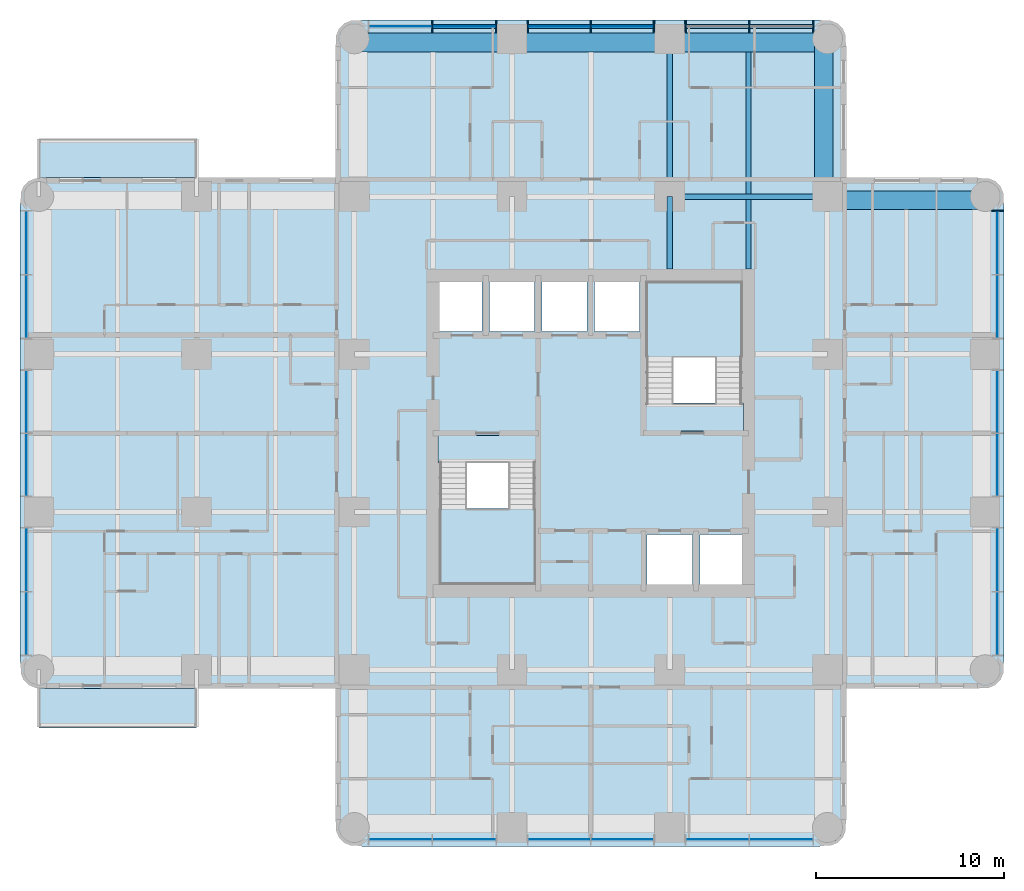
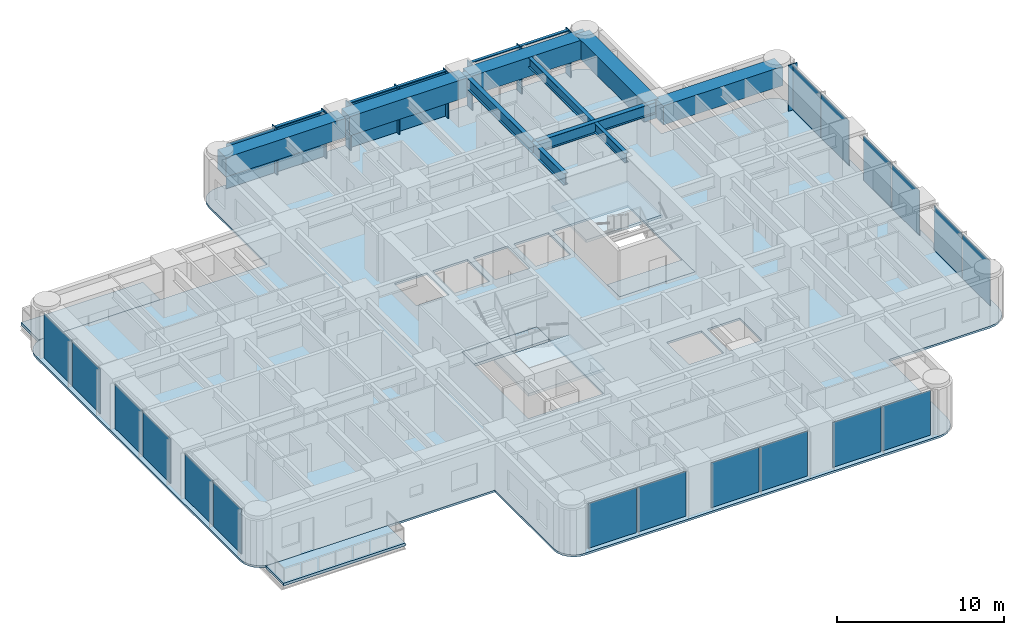
# One storey, part 3 of 11: 22 plates, 14 members, 10 beams, 7 slabs, 6 elements without a shape of their own.
"""IFC4 building model written with IfcOpenShell, lengths in metres."""

from ifc_helpers import new_model, si_unit, direction, frame, origin, origin_2d, place, context, subcontext, project, spatial, polyline, rectangle, i_section, outline, extrude, material, layer, layer_set, material_profile, profile_set, type_object, element, aggregate, save


model = new_model("IFC4")

# Units and contexts
model_context = context("Model", 3, precision=1e-05, world=origin(), true_north=direction((0.0, 1.0)))
body_context = subcontext(model_context, "Body", "Model", "MODEL_VIEW")
ifc_project = project(units=[si_unit("LENGTHUNIT", "METRE"), si_unit("AREAUNIT", "SQUARE_METRE"), si_unit("VOLUMEUNIT", "CUBIC_METRE"), si_unit("PLANEANGLEUNIT", "RADIAN"), si_unit("MASSUNIT", "GRAM", prefix="KILO")], contexts=[model_context])

# Site, building, storey
site_placement = place(None, origin())
site = spatial("IfcSite", under=ifc_project, at=site_placement, CompositionType="ELEMENT")
building_placement = place(site_placement, origin())
building = spatial("IfcBuilding", under=site, at=building_placement, Name="Torre Alcanfor", CompositionType="ELEMENT")
storey_placement = place(building_placement, frame((0.0, 0.0, 244.5)))
storey = spatial("IfcBuildingStorey", under=building, at=storey_placement, Name="L64", CompositionType="ELEMENT", Elevation=244.5)

# Curtain wall, member
ifc_material_1 = material(Name="Aluminium and glass", Category="aluminium")
curtain_wall_type = type_object("IfcCurtainWallType", Name="CW-A unitised apartment glazing with vertical FIN", PredefinedType="NOTDEFINED", material=ifc_material_1)
curtain_wall_1_placement = place(storey_placement, origin())
curtain_wall_1 = element("IfcCurtainWall", 1, at=curtain_wall_1_placement, inside=storey, type_object=curtain_wall_type, Name="Curtain wall CW-A L64 8", PredefinedType="NOTDEFINED")
ifc_material_2 = material(Name="Bronze anodised aluminium", Category="aluminium")
ifc_material_profile_1 = material_profile(ifc_material_2, rectangle(XDim=0.60009765625, YDim=0.06494140625, at=origin_2d()), Name="CW-A mullion 65x600")
ifc_profile_set_1 = profile_set([ifc_material_profile_1], Name="Bronze anodised aluminium")
member_type_1 = type_object("IfcMemberType", Name="CW-A mullion with vertical FIN 65x600", PredefinedType="MULLION", material=ifc_profile_set_1)
member_1_placement = place(storey_placement, frame((51.050048828125, 41.24267578125, 0.0), z_axis=(0.0, 0.0, 1.0), x_axis=(-1.0, 0.0, 0.0)))
member_1 = element("IfcMember", 2, at=member_1_placement, type_object=member_type_1, Name="CW-A mullion 3.3", PredefinedType="MULLION", context=body_context, shape_type="SweptSolid", body=[
    extrude(rectangle(XDim=0.60009765625, YDim=0.06494140625, at=origin_2d()), origin(), (0.0, 0.0, 1.0), 3.35009765625),
])

# Curtain wall, members
curtain_wall_2_placement = place(storey_placement, origin())
curtain_wall_2 = element("IfcCurtainWall", 3, at=curtain_wall_2_placement, inside=storey, type_object=curtain_wall_type, Name="Curtain wall CW-A L64 11", PredefinedType="NOTDEFINED")
member_2_placement = place(storey_placement, frame((41.24267578125, 51.050048828125, 0.0), z_axis=(0.0, 0.0, 1.0), x_axis=(0.0, -1.0, 0.0)))
member_2 = element("IfcMember", 4, at=member_2_placement, type_object=member_type_1, Name="CW-A mullion 1.1", PredefinedType="MULLION", context=body_context, shape_type="SweptSolid", body=[
    extrude(rectangle(XDim=0.60009765625, YDim=0.06494140625, at=origin_2d()), origin(), (0.0, 0.0, 1.0), 3.35009765625),
])
member_3_placement = place(storey_placement, frame((37.840087890625, 51.050048828125, 0.0), z_axis=(0.0, 0.0, 1.0), x_axis=(0.0, -1.0, 0.0)))
member_3 = element("IfcMember", 5, at=member_3_placement, type_object=member_type_1, Name="CW-A mullion 1.2", PredefinedType="MULLION", context=body_context, shape_type="SweptSolid", body=[
    extrude(rectangle(XDim=0.60009765625, YDim=0.06494140625, at=origin_2d()), origin(), (0.0, 0.0, 1.0), 3.35009765625),
])
member_4_placement = place(storey_placement, frame((34.4375, 51.050048828125, 0.0), z_axis=(0.0, 0.0, 1.0), x_axis=(0.0, -1.0, 0.0)))
member_4 = element("IfcMember", 6, at=member_4_placement, type_object=member_type_1, Name="CW-A mullion 1.3", PredefinedType="MULLION", context=body_context, shape_type="SweptSolid", body=[
    extrude(rectangle(XDim=0.60009765625, YDim=0.06494140625, at=origin_2d()), origin(), (0.0, 0.0, 1.0), 3.35009765625),
])
member_5_placement = place(storey_placement, frame((32.762451171875, 51.050048828125, 0.0), z_axis=(0.0, 0.0, 1.0), x_axis=(0.0, -1.0, 0.0)))
member_5 = element("IfcMember", 7, at=member_5_placement, type_object=member_type_1, Name="CW-A mullion 2.1", PredefinedType="MULLION", context=body_context, shape_type="SweptSolid", body=[
    extrude(rectangle(XDim=0.60009765625, YDim=0.06494140625, at=origin_2d()), origin(), (0.0, 0.0, 1.0), 3.35009765625),
])
member_6_placement = place(storey_placement, frame((29.39990234375, 51.050048828125, 0.0), z_axis=(0.0, 0.0, 1.0), x_axis=(0.0, -1.0, 0.0)))
member_6 = element("IfcMember", 8, at=member_6_placement, type_object=member_type_1, Name="CW-A mullion 2.2", PredefinedType="MULLION", context=body_context, shape_type="SweptSolid", body=[
    extrude(rectangle(XDim=0.60009765625, YDim=0.06494140625, at=origin_2d()), origin(), (0.0, 0.0, 1.0), 3.35009765625),
])
member_7_placement = place(storey_placement, frame((26.03759765625, 51.050048828125, 0.0), z_axis=(0.0, 0.0, 1.0), x_axis=(0.0, -1.0, 0.0)))
member_7 = element("IfcMember", 9, at=member_7_placement, type_object=member_type_1, Name="CW-A mullion 2.3", PredefinedType="MULLION", context=body_context, shape_type="SweptSolid", body=[
    extrude(rectangle(XDim=0.60009765625, YDim=0.06494140625, at=origin_2d()), origin(), (0.0, 0.0, 1.0), 3.35009765625),
])
member_8_placement = place(storey_placement, frame((24.362548828125, 51.050048828125, 0.0), z_axis=(0.0, 0.0, 1.0), x_axis=(0.0, -1.0, 0.0)))
member_8 = element("IfcMember", 10, at=member_8_placement, type_object=member_type_1, Name="CW-A mullion 3.1", PredefinedType="MULLION", context=body_context, shape_type="SweptSolid", body=[
    extrude(rectangle(XDim=0.60009765625, YDim=0.06494140625, at=origin_2d()), origin(), (0.0, 0.0, 1.0), 3.35009765625),
])
member_9_placement = place(storey_placement, frame((20.9599609375, 51.050048828125, 0.0), z_axis=(0.0, 0.0, 1.0), x_axis=(0.0, -1.0, 0.0)))
member_9 = element("IfcMember", 11, at=member_9_placement, type_object=member_type_1, Name="CW-A mullion 3.2", PredefinedType="MULLION", context=body_context, shape_type="SweptSolid", body=[
    extrude(rectangle(XDim=0.60009765625, YDim=0.06494140625, at=origin_2d()), origin(), (0.0, 0.0, 1.0), 3.35009765625),
])
ifc_material_3 = material(Name="Extruded aluminium", Category="aluminium")
ifc_material_profile_2 = material_profile(ifc_material_3, rectangle(XDim=0.199951171875, YDim=0.06494140625, at=origin_2d()), Name="CW-A transom 200x65")
ifc_profile_set_2 = profile_set([ifc_material_profile_2], Name="Extruded aluminium")
member_type_2 = type_object("IfcMemberType", Name="CW-A transom 65x200", PredefinedType="USERDEFINED", material=ifc_profile_set_2)
member_10_placement = place(storey_placement, frame((41.210205078125, 51.050048828125, 3.3173828125), z_axis=(-1.0, 0.0, 0.0), x_axis=(0.0, -1.0, 0.0)))
member_10 = element("IfcMember", 12, at=member_10_placement, type_object=member_type_2, Name="CW-A transom 1.1.2", ObjectType="TRANSOM", PredefinedType="USERDEFINED", context=body_context, shape_type="SweptSolid", body=[
    extrude(rectangle(XDim=0.199951171875, YDim=0.06494140625, at=origin_2d()), origin(), (0.0, 0.0, 1.0), 3.337646484375),
])
member_11_placement = place(storey_placement, frame((37.8076171875, 51.050048828125, 3.3173828125), z_axis=(-1.0, 0.0, 0.0), x_axis=(0.0, -1.0, 0.0)))
member_11 = element("IfcMember", 13, at=member_11_placement, type_object=member_type_2, Name="CW-A transom 1.2.2", ObjectType="TRANSOM", PredefinedType="USERDEFINED", context=body_context, shape_type="SweptSolid", body=[
    extrude(rectangle(XDim=0.199951171875, YDim=0.06494140625, at=origin_2d()), origin(), (0.0, 0.0, 1.0), 3.337646484375),
])
member_12_placement = place(storey_placement, frame((32.72998046875, 51.050048828125, 3.3173828125), z_axis=(-1.0, 0.0, 0.0), x_axis=(0.0, -1.0, 0.0)))
member_12 = element("IfcMember", 14, at=member_12_placement, type_object=member_type_2, Name="CW-A transom 2.1.2", ObjectType="TRANSOM", PredefinedType="USERDEFINED", context=body_context, shape_type="SweptSolid", body=[
    extrude(rectangle(XDim=0.199951171875, YDim=0.06494140625, at=origin_2d()), origin(), (0.0, 0.0, 1.0), 3.29736328125),
])
member_13_placement = place(storey_placement, frame((29.367431640625, 51.050048828125, 3.3173828125), z_axis=(-1.0, 0.0, 0.0), x_axis=(0.0, -1.0, 0.0)))
member_13 = element("IfcMember", 15, at=member_13_placement, type_object=member_type_2, Name="CW-A transom 2.2.2", ObjectType="TRANSOM", PredefinedType="USERDEFINED", context=body_context, shape_type="SweptSolid", body=[
    extrude(rectangle(XDim=0.199951171875, YDim=0.06494140625, at=origin_2d()), origin(), (0.0, 0.0, 1.0), 3.29736328125),
])
member_14_placement = place(storey_placement, frame((24.330078125, 51.050048828125, 3.3173828125), z_axis=(-1.0, 0.0, 0.0), x_axis=(0.0, -1.0, 0.0)))
member_14 = element("IfcMember", 16, at=member_14_placement, type_object=member_type_2, Name="CW-A transom 3.1.2", ObjectType="TRANSOM", PredefinedType="USERDEFINED", context=body_context, shape_type="SweptSolid", body=[
    extrude(rectangle(XDim=0.199951171875, YDim=0.06494140625, at=origin_2d()), origin(), (0.0, 0.0, 1.0), 3.337646484375),
])

# Beams
ifc_material_4 = material(Name="Steel ASTM A992 Grade 50", Category="steel")
ifc_material_profile_3 = material_profile(ifc_material_4, i_section(OverallWidth=0.2919921875, OverallDepth=0.8408203125, WebThickness=0.0146484375, FlangeThickness=0.021728515625, at=origin_2d()), Name="W33x130")
ifc_profile_set_3 = profile_set([ifc_material_profile_3], Name="Steel ASTM A992 Grade 50")
beam_type_1 = type_object("IfcBeamType", Name="Girder W33x130", PredefinedType="BEAM", material=ifc_profile_set_3)
for number, where, z_axis, x_axis, name in (
    (17, (33.60009765625, 42.0, 2.9296875), (1.0, 0.0, 0.0), (0.0, 1.0, 0.0), "Beam 5H-6H under L65"),
    (18, (33.60009765625, 42.0, 2.9296875), (0.0, 1.0, 0.0), (-1.0, 0.0, 0.0), "Beam 5H-5J under L65"),
):
    element("IfcBeam", number, at=place(storey_placement, frame(where, z_axis=z_axis, x_axis=x_axis)), inside=storey, type_object=beam_type_1, Name=name, PredefinedType="BEAM", context=body_context, shape_type="SweptSolid", body=[
        extrude(i_section(OverallWidth=0.2919921875, OverallDepth=0.8408203125, WebThickness=0.0146484375, FlangeThickness=0.021728515625, at=origin_2d()), origin(), (0.0, 0.0, 1.0), 8.39990234375),
    ])
ifc_material_5 = material(Name="Steel ASTM A992 Grade 50", Category="steel")
ifc_material_profile_4 = material_profile(ifc_material_5, i_section(OverallWidth=0.2919921875, OverallDepth=0.8408203125, WebThickness=0.0146484375, FlangeThickness=0.021728515625, at=origin_2d()), Name="W33x130")
ifc_profile_set_4 = profile_set([ifc_material_profile_4], Name="Steel ASTM A992 Grade 50")
beam_type_2 = type_object("IfcBeamType", Name="Girder, part bay W33x130", PredefinedType="BEAM", material=ifc_profile_set_4)
beam_1_placement = place(storey_placement, frame((33.60009765625, 42.0, 2.9296875), z_axis=(0.0, -1.0, 0.0), x_axis=(1.0, 0.0, 0.0)))
element("IfcBeam", 19, at=beam_1_placement, inside=storey, type_object=beam_type_2, Name="Beam 5H-538_15 under L65", PredefinedType="BEAM", context=body_context, shape_type="SweptSolid", body=[
    extrude(i_section(OverallWidth=0.2919921875, OverallDepth=0.8408203125, WebThickness=0.0146484375, FlangeThickness=0.021728515625, at=origin_2d()), origin(), (0.0, 0.0, 1.0), 3.85009765625),
])
ifc_material_6 = material(Name="Concrete f'c 70 MPa", Category="concrete")
ifc_material_profile_5 = material_profile(ifc_material_6, rectangle(XDim=1.0, YDim=1.39990234375, at=origin_2d()), Name="1000x1400")
ifc_profile_set_5 = profile_set([ifc_material_profile_5], Name="Concrete f'c 70 MPa")
beam_type_3 = type_object("IfcBeamType", Name="RC perimeter beam 1000x1400", PredefinedType="BEAM", material=ifc_profile_set_5)
for number, where, z_axis, x_axis, name in (
    (20, (42.14599609375, 41.800048828125, 2.64990234375), (1.0, 0.0, 0.0), (0.0, 1.0, 0.0), "Beam 6H-7H under L65"),
    (21, (16.800048828125, 50.199951171875, 2.64990234375), (1.0, 0.0, 0.0), (0.0, 1.0, 0.0), "Beam 3J-4J under L65"),
):
    element("IfcBeam", number, at=place(storey_placement, frame(where, z_axis=z_axis, x_axis=x_axis)), inside=storey, type_object=beam_type_3, Name=name, PredefinedType="BEAM", context=body_context, shape_type="SweptSolid", body=[
        extrude(rectangle(XDim=1.0, YDim=1.39990234375, at=origin_2d()), origin(), (0.0, 0.0, 1.0), 8.25390625),
    ])
beam_2_placement = place(storey_placement, frame((25.345947265625, 50.199951171875, 2.64990234375), z_axis=(1.0, 0.0, 0.0), x_axis=(0.0, 1.0, 0.0)))
element("IfcBeam", 22, at=beam_2_placement, inside=storey, type_object=beam_type_3, Name="Beam 4J-5J under L65", PredefinedType="BEAM", context=body_context, shape_type="SweptSolid", body=[
    extrude(rectangle(XDim=1.0, YDim=1.39990234375, at=origin_2d()), origin(), (0.0, 0.0, 1.0), 8.108154296875),
])
for number, where, z_axis, x_axis, name in (
    (23, (33.74609375, 50.199951171875, 2.64990234375), (1.0, 0.0, 0.0), (0.0, 1.0, 0.0), "Beam 5J-6J under L65"),
    (24, (41.800048828125, 42.14599609375, 2.64990234375), (0.0, 1.0, 0.0), (-1.0, 0.0, 0.0), "Beam 6H-6J under L65"),
):
    element("IfcBeam", number, at=place(storey_placement, frame(where, z_axis=z_axis, x_axis=x_axis)), inside=storey, type_object=beam_type_3, Name=name, PredefinedType="BEAM", context=body_context, shape_type="SweptSolid", body=[
        extrude(rectangle(XDim=1.0, YDim=1.39990234375, at=origin_2d()), origin(), (0.0, 0.0, 1.0), 8.25390625),
    ])
ifc_material_7 = material(Name="Steel ASTM A992 Grade 50", Category="steel")
ifc_material_profile_6 = material_profile(ifc_material_7, i_section(OverallWidth=0.25390625, OverallDepth=0.683349609375, WebThickness=0.012451171875, FlangeThickness=0.01904296875, at=origin_2d()), Name="W27x94")
ifc_profile_set_6 = profile_set([ifc_material_profile_6], Name="Steel ASTM A992 Grade 50")
beam_type_4 = type_object("IfcBeamType", Name="Secondary beam W27x94", PredefinedType="BEAM", material=ifc_profile_set_6)
beam_3_placement = place(storey_placement, frame((37.800048828125, 42.14599609375, 3.00830078125), z_axis=(0.0, 1.0, 0.0), x_axis=(-1.0, 0.0, 0.0)))
element("IfcBeam", 25, at=beam_3_placement, inside=storey, type_object=beam_type_4, Name="Beam 37_8H-37_8J under L65", PredefinedType="BEAM", context=body_context, shape_type="SweptSolid", body=[
    extrude(i_section(OverallWidth=0.25390625, OverallDepth=0.683349609375, WebThickness=0.012451171875, FlangeThickness=0.01904296875, at=origin_2d()), origin(), (0.0, 0.0, 1.0), 7.553955078125),
])
ifc_material_8 = material(Name="Steel ASTM A992 Grade 50", Category="steel")
ifc_material_profile_7 = material_profile(ifc_material_8, i_section(OverallWidth=0.25390625, OverallDepth=0.683349609375, WebThickness=0.012451171875, FlangeThickness=0.01904296875, at=origin_2d()), Name="W27x94")
ifc_profile_set_7 = profile_set([ifc_material_profile_7], Name="Steel ASTM A992 Grade 50")
beam_type_5 = type_object("IfcBeamType", Name="Secondary beam, part bay W27x94", PredefinedType="BEAM", material=ifc_profile_set_7)
beam_4_placement = place(storey_placement, frame((37.800048828125, 38.14990234375, 3.00830078125), z_axis=(0.0, 1.0, 0.0), x_axis=(-1.0, 0.0, 0.0)))
element("IfcBeam", 26, at=beam_4_placement, inside=storey, type_object=beam_type_5, Name="Beam 37_838_15-37_8H under L65", PredefinedType="BEAM", context=body_context, shape_type="SweptSolid", body=[
    extrude(i_section(OverallWidth=0.25390625, OverallDepth=0.683349609375, WebThickness=0.012451171875, FlangeThickness=0.01904296875, at=origin_2d()), origin(), (0.0, 0.0, 1.0), 3.7041015625),
])

# Slabs
ifc_material_9 = material(Name="Concrete f'c 35 MPa", Category="concrete")
ifc_layer_1 = layer(ifc_material_9, 0.199951171875)
ifc_layer_set_1 = layer_set([ifc_layer_1], Name="Balcony slab 200")
slab_type_1 = type_object("IfcSlabType", Name="Balcony slab 200", PredefinedType="FLOOR", material=ifc_layer_set_1)
slab_1_placement = place(storey_placement, frame((0.0, 0.0, -0.199951171875)))
element("IfcSlab", 27, at=slab_1_placement, inside=storey, type_object=slab_type_1, Name="Balcony L64-W1", PredefinedType="FLOOR", context=body_context, shape_type="SweptSolid", body=[
    extrude(outline(polyline([(8.39990234375, 15.800048828125), (0.0, 15.800048828125), (0.0, 13.699951171875), (8.39990234375, 13.699951171875), (8.39990234375, 15.800048828125)])), origin(), (0.0, 0.0, 1.0), 0.199951171875),
])
slab_2_placement = place(storey_placement, frame((0.0, 0.0, -0.199951171875)))
element("IfcSlab", 28, at=slab_2_placement, inside=storey, type_object=slab_type_1, Name="Balcony L64-W2", PredefinedType="FLOOR", context=body_context, shape_type="SweptSolid", body=[
    extrude(outline(polyline([(8.39990234375, 45.10009765625), (0.0, 45.10009765625), (0.0, 43.0), (8.39990234375, 43.0), (8.39990234375, 45.10009765625)])), origin(), (0.0, 0.0, 1.0), 0.199951171875),
])

# Curtain wall, plates
curtain_wall_3_placement = place(storey_placement, origin())
curtain_wall_3 = element("IfcCurtainWall", 29, at=curtain_wall_3_placement, inside=storey, type_object=curtain_wall_type, Name="Curtain wall CW-A L64 2", PredefinedType="NOTDEFINED")
ifc_material_10 = material(Name="Glass", Category="glass")
ifc_layer_2 = layer(ifc_material_10, 0.028076171875)
ifc_layer_set_2 = layer_set([ifc_layer_2], Name="CW-A clear double glazed unit")
plate_type = type_object("IfcPlateType", Name="CW-A clear double glazed unit", PredefinedType="CURTAIN_PANEL", material=ifc_layer_set_2)
plate_1_placement = place(storey_placement, frame((-0.64990234375, 39.541259765625, 0.0), z_axis=(0.0, 0.0, 1.0), x_axis=(0.0, -1.0, 0.0)))
plate_1 = element("IfcPlate", 30, at=plate_1_placement, type_object=plate_type, Name="CW-A panel 1.1.1", PredefinedType="CURTAIN_PANEL", context=body_context, shape_type="SweptSolid", body=[
    extrude(rectangle(XDim=3.337646484375, YDim=0.028076171875, at=origin_2d()), origin(), (0.0, 0.0, 1.0), 3.284912109375),
])
plate_2_placement = place(storey_placement, frame((-0.64990234375, 36.138671875, 0.0), z_axis=(0.0, 0.0, 1.0), x_axis=(0.0, -1.0, 0.0)))
plate_2 = element("IfcPlate", 31, at=plate_2_placement, type_object=plate_type, Name="CW-A panel 1.2.1", PredefinedType="CURTAIN_PANEL", context=body_context, shape_type="SweptSolid", body=[
    extrude(rectangle(XDim=3.337646484375, YDim=0.028076171875, at=origin_2d()), origin(), (0.0, 0.0, 1.0), 3.284912109375),
])
plate_3_placement = place(storey_placement, frame((-0.64990234375, 31.081298828125, 0.0), z_axis=(0.0, 0.0, 1.0), x_axis=(0.0, -1.0, 0.0)))
plate_3 = element("IfcPlate", 32, at=plate_3_placement, type_object=plate_type, Name="CW-A panel 2.1.1", PredefinedType="CURTAIN_PANEL", context=body_context, shape_type="SweptSolid", body=[
    extrude(rectangle(XDim=3.297607421875, YDim=0.028076171875, at=origin_2d()), origin(), (0.0, 0.0, 1.0), 3.284912109375),
])
plate_4_placement = place(storey_placement, frame((-0.64990234375, 27.71875, 0.0), z_axis=(0.0, 0.0, 1.0), x_axis=(0.0, -1.0, 0.0)))
plate_4 = element("IfcPlate", 33, at=plate_4_placement, type_object=plate_type, Name="CW-A panel 2.2.1", PredefinedType="CURTAIN_PANEL", context=body_context, shape_type="SweptSolid", body=[
    extrude(rectangle(XDim=3.297607421875, YDim=0.028076171875, at=origin_2d()), origin(), (0.0, 0.0, 1.0), 3.284912109375),
])
plate_5_placement = place(storey_placement, frame((-0.64990234375, 22.6611328125, 0.0), z_axis=(0.0, 0.0, 1.0), x_axis=(0.0, -1.0, 0.0)))
plate_5 = element("IfcPlate", 34, at=plate_5_placement, type_object=plate_type, Name="CW-A panel 3.1.1", PredefinedType="CURTAIN_PANEL", context=body_context, shape_type="SweptSolid", body=[
    extrude(rectangle(XDim=3.337646484375, YDim=0.028076171875, at=origin_2d()), origin(), (0.0, 0.0, 1.0), 3.284912109375),
])
plate_6_placement = place(storey_placement, frame((-0.64990234375, 19.2587890625, 0.0), z_axis=(0.0, 0.0, 1.0), x_axis=(0.0, -1.0, 0.0)))
plate_6 = element("IfcPlate", 35, at=plate_6_placement, type_object=plate_type, Name="CW-A panel 3.2.1", PredefinedType="CURTAIN_PANEL", context=body_context, shape_type="SweptSolid", body=[
    extrude(rectangle(XDim=3.337646484375, YDim=0.028076171875, at=origin_2d()), origin(), (0.0, 0.0, 1.0), 3.284912109375),
])
aggregate(curtain_wall_3, [plate_1, plate_2, plate_3, plate_4, plate_5, plate_6])

curtain_wall_4_placement = place(storey_placement, origin())
curtain_wall_4 = element("IfcCurtainWall", 36, at=curtain_wall_4_placement, inside=storey, type_object=curtain_wall_type, Name="Curtain wall CW-A L64 5", PredefinedType="NOTDEFINED")
plate_7_placement = place(storey_placement, frame((19.2587890625, 7.75, 0.0), z_axis=(0.0, 0.0, 1.0), x_axis=(1.0, 0.0, 0.0)))
plate_7 = element("IfcPlate", 37, at=plate_7_placement, type_object=plate_type, Name="CW-A panel 1.1.1", PredefinedType="CURTAIN_PANEL", context=body_context, shape_type="SweptSolid", body=[
    extrude(rectangle(XDim=3.337646484375, YDim=0.028076171875, at=origin_2d()), origin(), (0.0, 0.0, 1.0), 3.284912109375),
])
plate_8_placement = place(storey_placement, frame((22.6611328125, 7.75, 0.0), z_axis=(0.0, 0.0, 1.0), x_axis=(1.0, 0.0, 0.0)))
plate_8 = element("IfcPlate", 38, at=plate_8_placement, type_object=plate_type, Name="CW-A panel 1.2.1", PredefinedType="CURTAIN_PANEL", context=body_context, shape_type="SweptSolid", body=[
    extrude(rectangle(XDim=3.337646484375, YDim=0.028076171875, at=origin_2d()), origin(), (0.0, 0.0, 1.0), 3.284912109375),
])
plate_9_placement = place(storey_placement, frame((27.71875, 7.75, 0.0), z_axis=(0.0, 0.0, 1.0), x_axis=(1.0, 0.0, 0.0)))
plate_9 = element("IfcPlate", 39, at=plate_9_placement, type_object=plate_type, Name="CW-A panel 2.1.1", PredefinedType="CURTAIN_PANEL", context=body_context, shape_type="SweptSolid", body=[
    extrude(rectangle(XDim=3.297607421875, YDim=0.028076171875, at=origin_2d()), origin(), (0.0, 0.0, 1.0), 3.284912109375),
])
plate_10_placement = place(storey_placement, frame((31.081298828125, 7.75, 0.0), z_axis=(0.0, 0.0, 1.0), x_axis=(1.0, 0.0, 0.0)))
plate_10 = element("IfcPlate", 40, at=plate_10_placement, type_object=plate_type, Name="CW-A panel 2.2.1", PredefinedType="CURTAIN_PANEL", context=body_context, shape_type="SweptSolid", body=[
    extrude(rectangle(XDim=3.297607421875, YDim=0.028076171875, at=origin_2d()), origin(), (0.0, 0.0, 1.0), 3.284912109375),
])
plate_11_placement = place(storey_placement, frame((36.138671875, 7.75, 0.0), z_axis=(0.0, 0.0, 1.0), x_axis=(1.0, 0.0, 0.0)))
plate_11 = element("IfcPlate", 41, at=plate_11_placement, type_object=plate_type, Name="CW-A panel 3.1.1", PredefinedType="CURTAIN_PANEL", context=body_context, shape_type="SweptSolid", body=[
    extrude(rectangle(XDim=3.337646484375, YDim=0.028076171875, at=origin_2d()), origin(), (0.0, 0.0, 1.0), 3.284912109375),
])
plate_12_placement = place(storey_placement, frame((39.541259765625, 7.75, 0.0), z_axis=(0.0, 0.0, 1.0), x_axis=(1.0, 0.0, 0.0)))
plate_12 = element("IfcPlate", 42, at=plate_12_placement, type_object=plate_type, Name="CW-A panel 3.2.1", PredefinedType="CURTAIN_PANEL", context=body_context, shape_type="SweptSolid", body=[
    extrude(rectangle(XDim=3.337646484375, YDim=0.028076171875, at=origin_2d()), origin(), (0.0, 0.0, 1.0), 3.284912109375),
])
aggregate(curtain_wall_4, [plate_7, plate_8, plate_9, plate_10, plate_11, plate_12])

# Plate
plate_13_placement = place(storey_placement, frame((51.050048828125, 19.2587890625, 0.0), z_axis=(0.0, 0.0, 1.0), x_axis=(0.0, 1.0, 0.0)))
plate_13 = element("IfcPlate", 43, at=plate_13_placement, type_object=plate_type, Name="CW-A panel 1.1.1", PredefinedType="CURTAIN_PANEL", context=body_context, shape_type="SweptSolid", body=[
    extrude(rectangle(XDim=3.337646484375, YDim=0.028076171875, at=origin_2d()), origin(), (0.0, 0.0, 1.0), 3.284912109375),
])

plate_14_placement = place(storey_placement, frame((51.050048828125, 22.6611328125, 0.0), z_axis=(0.0, 0.0, 1.0), x_axis=(0.0, 1.0, 0.0)))
plate_14 = element("IfcPlate", 44, at=plate_14_placement, type_object=plate_type, Name="CW-A panel 1.2.1", PredefinedType="CURTAIN_PANEL", context=body_context, shape_type="SweptSolid", body=[
    extrude(rectangle(XDim=3.337646484375, YDim=0.028076171875, at=origin_2d()), origin(), (0.0, 0.0, 1.0), 3.284912109375),
])

plate_15_placement = place(storey_placement, frame((51.050048828125, 27.71875, 0.0), z_axis=(0.0, 0.0, 1.0), x_axis=(0.0, 1.0, 0.0)))
plate_15 = element("IfcPlate", 45, at=plate_15_placement, type_object=plate_type, Name="CW-A panel 2.1.1", PredefinedType="CURTAIN_PANEL", context=body_context, shape_type="SweptSolid", body=[
    extrude(rectangle(XDim=3.297607421875, YDim=0.028076171875, at=origin_2d()), origin(), (0.0, 0.0, 1.0), 3.284912109375),
])

plate_16_placement = place(storey_placement, frame((51.050048828125, 31.081298828125, 0.0), z_axis=(0.0, 0.0, 1.0), x_axis=(0.0, 1.0, 0.0)))
plate_16 = element("IfcPlate", 46, at=plate_16_placement, type_object=plate_type, Name="CW-A panel 2.2.1", PredefinedType="CURTAIN_PANEL", context=body_context, shape_type="SweptSolid", body=[
    extrude(rectangle(XDim=3.297607421875, YDim=0.028076171875, at=origin_2d()), origin(), (0.0, 0.0, 1.0), 3.284912109375),
])

plate_17_placement = place(storey_placement, frame((51.050048828125, 36.138671875, 0.0), z_axis=(0.0, 0.0, 1.0), x_axis=(0.0, 1.0, 0.0)))
plate_17 = element("IfcPlate", 47, at=plate_17_placement, type_object=plate_type, Name="CW-A panel 3.1.1", PredefinedType="CURTAIN_PANEL", context=body_context, shape_type="SweptSolid", body=[
    extrude(rectangle(XDim=3.337646484375, YDim=0.028076171875, at=origin_2d()), origin(), (0.0, 0.0, 1.0), 3.284912109375),
])

plate_18_placement = place(storey_placement, frame((51.050048828125, 39.541259765625, 0.0), z_axis=(0.0, 0.0, 1.0), x_axis=(0.0, 1.0, 0.0)))
plate_18 = element("IfcPlate", 48, at=plate_18_placement, type_object=plate_type, Name="CW-A panel 3.2.1", PredefinedType="CURTAIN_PANEL", context=body_context, shape_type="SweptSolid", body=[
    extrude(rectangle(XDim=3.337646484375, YDim=0.028076171875, at=origin_2d()), origin(), (0.0, 0.0, 1.0), 3.284912109375),
])

aggregate(curtain_wall_1, [plate_13, plate_14, plate_15, plate_16, member_1, plate_17, plate_18])

plate_19_placement = place(storey_placement, frame((31.081298828125, 51.050048828125, 0.0), z_axis=(0.0, 0.0, 1.0), x_axis=(-1.0, 0.0, 0.0)))
plate_19 = element("IfcPlate", 49, at=plate_19_placement, type_object=plate_type, Name="CW-A panel 2.1.1", PredefinedType="CURTAIN_PANEL", context=body_context, shape_type="SweptSolid", body=[
    extrude(rectangle(XDim=3.297607421875, YDim=0.028076171875, at=origin_2d()), origin(), (0.0, 0.0, 1.0), 3.284912109375),
])

plate_20_placement = place(storey_placement, frame((27.71875, 51.050048828125, 0.0), z_axis=(0.0, 0.0, 1.0), x_axis=(-1.0, 0.0, 0.0)))
plate_20 = element("IfcPlate", 50, at=plate_20_placement, type_object=plate_type, Name="CW-A panel 2.2.1", PredefinedType="CURTAIN_PANEL", context=body_context, shape_type="SweptSolid", body=[
    extrude(rectangle(XDim=3.297607421875, YDim=0.028076171875, at=origin_2d()), origin(), (0.0, 0.0, 1.0), 3.284912109375),
])

plate_21_placement = place(storey_placement, frame((22.6611328125, 51.050048828125, 0.0), z_axis=(0.0, 0.0, 1.0), x_axis=(-1.0, 0.0, 0.0)))
plate_21 = element("IfcPlate", 51, at=plate_21_placement, type_object=plate_type, Name="CW-A panel 3.1.1", PredefinedType="CURTAIN_PANEL", context=body_context, shape_type="SweptSolid", body=[
    extrude(rectangle(XDim=3.337646484375, YDim=0.028076171875, at=origin_2d()), origin(), (0.0, 0.0, 1.0), 3.284912109375),
])

plate_22_placement = place(storey_placement, frame((19.2587890625, 51.050048828125, 0.0), z_axis=(0.0, 0.0, 1.0), x_axis=(-1.0, 0.0, 0.0)))
plate_22 = element("IfcPlate", 52, at=plate_22_placement, type_object=plate_type, Name="CW-A panel 3.2.1", PredefinedType="CURTAIN_PANEL", context=body_context, shape_type="SweptSolid", body=[
    extrude(rectangle(XDim=3.337646484375, YDim=0.028076171875, at=origin_2d()), origin(), (0.0, 0.0, 1.0), 3.284912109375),
])

aggregate(curtain_wall_2, [member_2, member_3, member_4, member_10, member_11, member_5, member_6, member_7, member_12, plate_19, member_13, plate_20, member_8, member_9, member_14, plate_21, plate_22])

# Slab
ifc_material_11 = material(Name="Concrete f'c 35 MPa", Category="concrete")
ifc_layer_3 = layer(ifc_material_11, 0.14990234375)
ifc_layer_set_3 = layer_set([ifc_layer_3], Name="Composite floor 150 on metal deck")
slab_type_2 = type_object("IfcSlabType", Name="Composite floor 150 on metal deck", PredefinedType="FLOOR", material=ifc_layer_set_3)
slab_3_placement = place(storey_placement, frame((0.0, 0.0, -0.14990234375)))
element("IfcSlab", 53, at=slab_3_placement, inside=storey, type_object=slab_type_2, Name="Floor slab L64", PredefinedType="FLOOR", context=body_context, shape_type="SweptSolid", body=[
    extrude(outline(polyline([(15.800048828125, 43.0), (0.39990234375, 43.0), (0.03759765625, 42.952392578125), (-0.300048828125, 42.8125), (-0.58984375, 42.58984375), (-0.8125, 42.300048828125), (-0.952392578125, 41.96240234375), (-1.0, 41.60009765625), (-1.0, 17.199951171875), (-0.952392578125, 16.837646484375), (-0.8125, 16.5), (-0.58984375, 16.210205078125), (-0.300048828125, 15.987548828125), (0.03759765625, 15.84765625), (0.39990234375, 15.800048828125), (15.800048828125, 15.800048828125), (15.800048828125, 8.800048828125), (15.84765625, 8.437744140625), (15.987548828125, 8.10009765625), (16.210205078125, 7.81005859375), (16.5, 7.587646484375), (16.837646484375, 7.44775390625), (17.199951171875, 7.39990234375), (41.60009765625, 7.39990234375), (41.96240234375, 7.44775390625), (42.300048828125, 7.587646484375), (42.58984375, 7.81005859375), (42.8125, 8.10009765625), (42.952392578125, 8.437744140625), (43.0, 8.800048828125), (43.0, 15.800048828125), (50.0, 15.800048828125), (50.3623046875, 15.84765625), (50.699951171875, 15.987548828125), (50.989990234375, 16.210205078125), (51.21240234375, 16.5), (51.352294921875, 16.837646484375), (51.39990234375, 17.199951171875), (51.39990234375, 41.60009765625), (51.352294921875, 41.96240234375), (51.21240234375, 42.300048828125), (50.989990234375, 42.58984375), (50.699951171875, 42.8125), (50.3623046875, 42.952392578125), (50.0, 43.0), (43.0, 43.0), (43.0, 50.0), (42.952392578125, 50.3623046875), (42.8125, 50.699951171875), (42.58984375, 50.989990234375), (42.300048828125, 51.21240234375), (41.96240234375, 51.352294921875), (41.60009765625, 51.39990234375), (17.199951171875, 51.39990234375), (16.837646484375, 51.352294921875), (16.5, 51.21240234375), (16.210205078125, 50.989990234375), (15.987548828125, 50.699951171875), (15.84765625, 50.3623046875), (15.800048828125, 50.0), (15.800048828125, 43.0)]), holes=[polyline([(21.27001953125, 21.27001953125), (26.47998046875, 21.27001953125), (26.47998046875, 29.280029296875), (21.27001953125, 29.280029296875), (21.27001953125, 21.27001953125)]), polyline([(32.320068359375, 29.52001953125), (37.530029296875, 29.52001953125), (37.530029296875, 37.530029296875), (32.320068359375, 37.530029296875), (32.320068359375, 29.52001953125)]), polyline([(32.39990234375, 21.35009765625), (34.800048828125, 21.35009765625), (34.800048828125, 24.0), (32.39990234375, 24.0), (32.39990234375, 21.35009765625)]), polyline([(35.199951171875, 21.35009765625), (37.449951171875, 21.35009765625), (37.449951171875, 24.0), (35.199951171875, 24.0), (35.199951171875, 21.35009765625)]), polyline([(21.35009765625, 34.800048828125), (23.60009765625, 34.800048828125), (23.60009765625, 37.449951171875), (21.35009765625, 37.449951171875), (21.35009765625, 34.800048828125)]), polyline([(24.0, 34.800048828125), (26.39990234375, 34.800048828125), (26.39990234375, 37.449951171875), (24.0, 37.449951171875), (24.0, 34.800048828125)]), polyline([(26.800048828125, 34.800048828125), (29.199951171875, 34.800048828125), (29.199951171875, 37.449951171875), (26.800048828125, 37.449951171875), (26.800048828125, 34.800048828125)]), polyline([(29.60009765625, 34.800048828125), (32.0, 34.800048828125), (32.0, 37.449951171875), (29.60009765625, 37.449951171875), (29.60009765625, 34.800048828125)])]), origin(), (0.0, 0.0, 1.0), 0.14990234375),
])

# Stair, slabs
ifc_material_12 = material(Name="Concrete f'c 35 MPa", Category="concrete")
stair_type_1 = type_object("IfcStairType", Name="Exit stair S1 1400 wide", PredefinedType="HALF_TURN_STAIR", material=ifc_material_12)
stair_1_placement = place(storey_placement, origin())
stair_1 = element("IfcStair", 54, at=stair_1_placement, inside=storey, type_object=stair_type_1, Name="Stair S1 L64 to L65", PredefinedType="HALF_TURN_STAIR")
ifc_material_13 = material(Name="Concrete f'c 35 MPa", Category="concrete")
ifc_layer_4 = layer(ifc_material_13, 0.199951171875)
ifc_layer_set_4 = layer_set([ifc_layer_4], Name="Stair landing 200")
slab_type_3 = type_object("IfcSlabType", Name="Stair landing 200", PredefinedType="LANDING", material=ifc_layer_set_4)
slab_4_placement = place(storey_placement, frame((0.0, 0.0, -0.199951171875)))
slab_4 = element("IfcSlab", 55, at=slab_4_placement, type_object=slab_type_3, Name="S1 landing 1", PredefinedType="LANDING", context=body_context, shape_type="SweptSolid", body=[
    extrude(outline(polyline([(21.27001953125, 27.800048828125), (26.47998046875, 27.800048828125), (26.47998046875, 29.280029296875), (21.27001953125, 29.280029296875), (21.27001953125, 27.800048828125)])), origin(), (0.0, 0.0, 1.0), 0.199951171875),
])
slab_5_placement = place(storey_placement, frame((0.0, 0.0, 1.60009765625)))
slab_5 = element("IfcSlab", 56, at=slab_5_placement, type_object=slab_type_3, Name="S1 landing 2", PredefinedType="LANDING", context=body_context, shape_type="SweptSolid", body=[
    extrude(outline(polyline([(21.27001953125, 21.27001953125), (26.530029296875, 21.27001953125), (26.530029296875, 25.3798828125), (21.27001953125, 25.3798828125), (21.27001953125, 21.27001953125)])), origin(), (0.0, 0.0, 1.0), 0.199951171875),
])
aggregate(stair_1, [slab_4, slab_5])

ifc_material_14 = material(Name="Concrete f'c 35 MPa", Category="concrete")
stair_type_2 = type_object("IfcStairType", Name="Exit stair S2 1400 wide", PredefinedType="HALF_TURN_STAIR", material=ifc_material_14)
stair_2_placement = place(storey_placement, origin())
stair_2 = element("IfcStair", 57, at=stair_2_placement, inside=storey, type_object=stair_type_2, Name="Stair S2 L64 to L65", PredefinedType="HALF_TURN_STAIR")
slab_6_placement = place(storey_placement, frame((0.0, 0.0, -0.199951171875)))
slab_6 = element("IfcSlab", 58, at=slab_6_placement, type_object=slab_type_3, Name="S2 landing 1", PredefinedType="LANDING", context=body_context, shape_type="SweptSolid", body=[
    extrude(outline(polyline([(32.320068359375, 29.52001953125), (37.530029296875, 29.52001953125), (37.530029296875, 31.0), (32.320068359375, 31.0), (32.320068359375, 29.52001953125)])), origin(), (0.0, 0.0, 1.0), 0.199951171875),
])
slab_7_placement = place(storey_placement, frame((0.0, 0.0, 1.60009765625)))
slab_7 = element("IfcSlab", 59, at=slab_7_placement, type_object=slab_type_3, Name="S2 landing 2", PredefinedType="LANDING", context=body_context, shape_type="SweptSolid", body=[
    extrude(outline(polyline([(32.27001953125, 33.419921875), (37.530029296875, 33.419921875), (37.530029296875, 37.530029296875), (32.27001953125, 37.530029296875), (32.27001953125, 33.419921875)])), origin(), (0.0, 0.0, 1.0), 0.199951171875),
])
aggregate(stair_2, [slab_6, slab_7])

save(model, "model.ifc")
